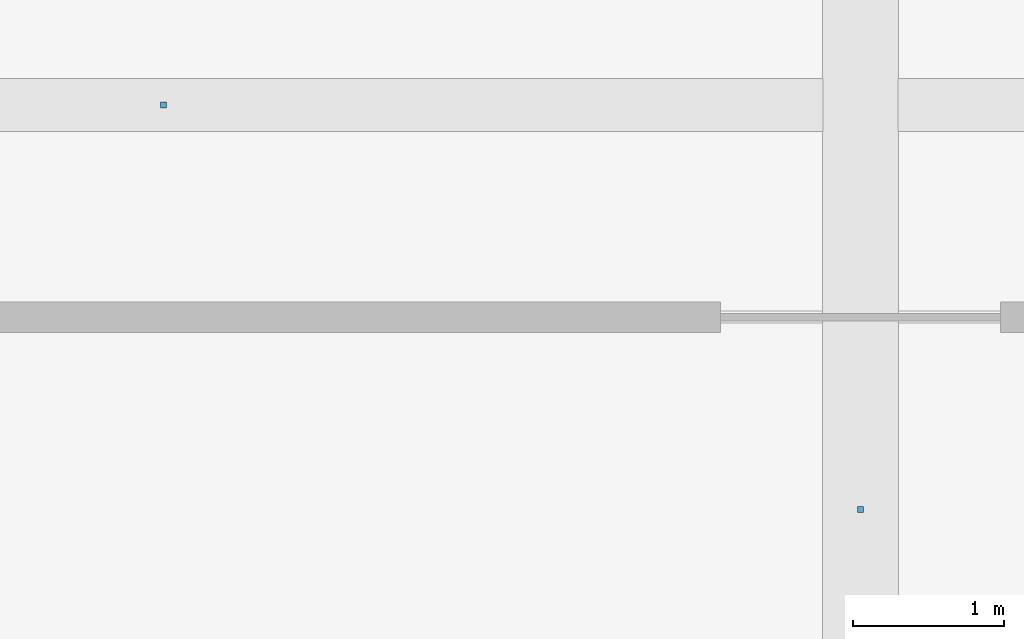
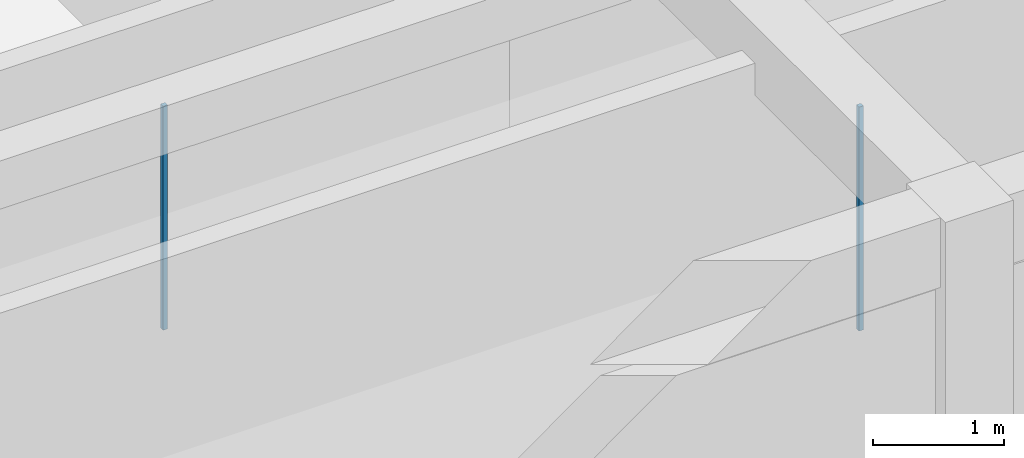
# One storey, part 100 of 157: 2 discrete accessories.
"""IFC4 building model written with IfcOpenShell, lengths in metres."""

from ifc_helpers import new_model, si_unit, direction, frame, origin, origin_2d, place, context, subcontext, project, spatial, rectangle, extrude, material, type_object, element, save


model = new_model("IFC4")

# Units and contexts
model_context = context("Model", 3, precision=1e-05, world=origin(), true_north=direction((0.0, 1.0)))
body_context = subcontext(model_context, "Body", "Model", "MODEL_VIEW")
ifc_project = project(units=[si_unit("LENGTHUNIT", "METRE"), si_unit("AREAUNIT", "SQUARE_METRE"), si_unit("VOLUMEUNIT", "CUBIC_METRE"), si_unit("PLANEANGLEUNIT", "RADIAN"), si_unit("MASSUNIT", "GRAM", prefix="KILO")], contexts=[model_context])

# Site, building, storey
site_placement = place(None, origin())
site = spatial("IfcSite", under=ifc_project, at=site_placement, CompositionType="ELEMENT")
building_placement = place(site_placement, origin())
building = spatial("IfcBuilding", under=site, at=building_placement, Name="Varncliffe General Hospital", CompositionType="ELEMENT")
storey_placement = place(building_placement, frame((0.0, 0.0, 5.39990234375)))
storey = spatial("IfcBuildingStorey", under=building, at=storey_placement, Name="L01", CompositionType="ELEMENT", Elevation=5.39990234375)

# Discrete accessories
ifc_material = material(Name="Powder-coated hospital steel guardrail and handrail", Category="steel")
discrete_accessory_type = type_object("IfcDiscreteAccessoryType", Name="Suspended Ceiling Hanger Bracket CH01", PredefinedType="BRACKET", material=ifc_material)
for number, where, z_axis, x_axis, name in (
    (1, (37.39990234375, 28.199951171875, 3.18994140625), (0.0, 0.0, 1.0), (1.0, 0.0, 0.0), "L01 Suspended Ceiling Hanger 119"),
    (2, (42.0, 25.530029296875, 3.18994140625), (0.0, 0.0, 1.0), (1.0, 0.0, 0.0), "L01 Suspended Ceiling Hanger 145"),
):
    element("IfcDiscreteAccessory", number, at=place(storey_placement, frame(where, z_axis=z_axis, x_axis=x_axis)), inside=storey, type_object=discrete_accessory_type, Name=name, PredefinedType="BRACKET", context=body_context, shape_type="SweptSolid", body=[
        extrude(rectangle(XDim=0.0400390625, YDim=0.0400390625, at=origin_2d()), origin(), (0.0, 0.0, 1.0), 2.090087890625),
    ])

save(model, "model.ifc")
